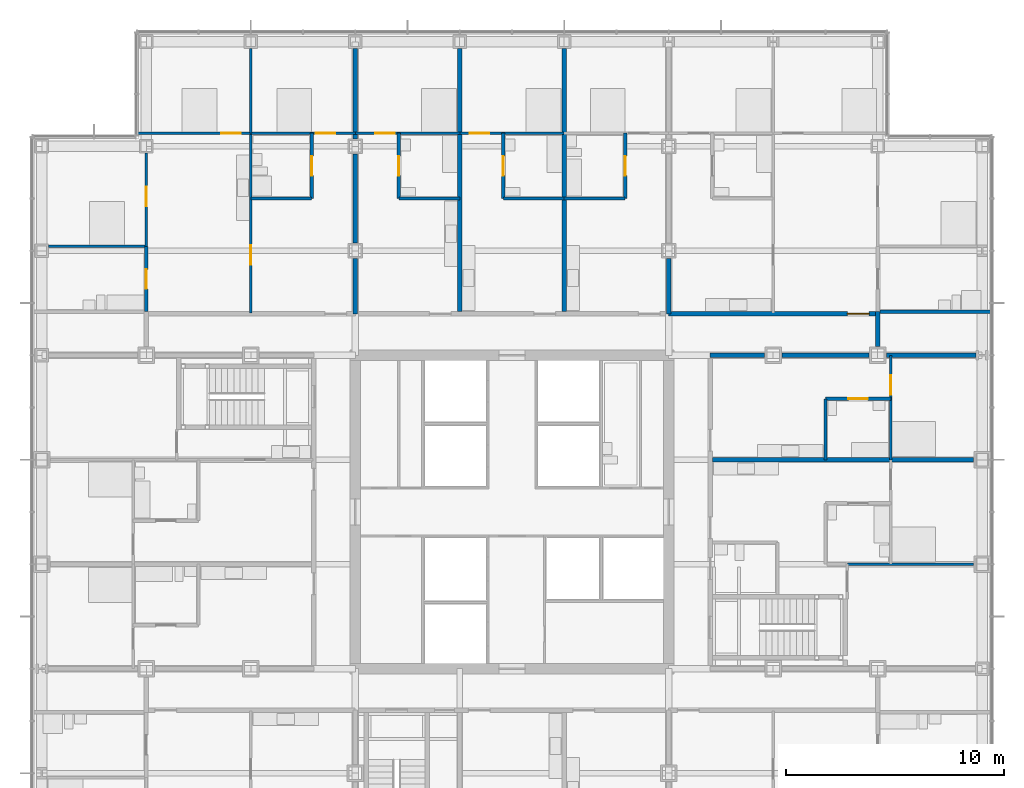
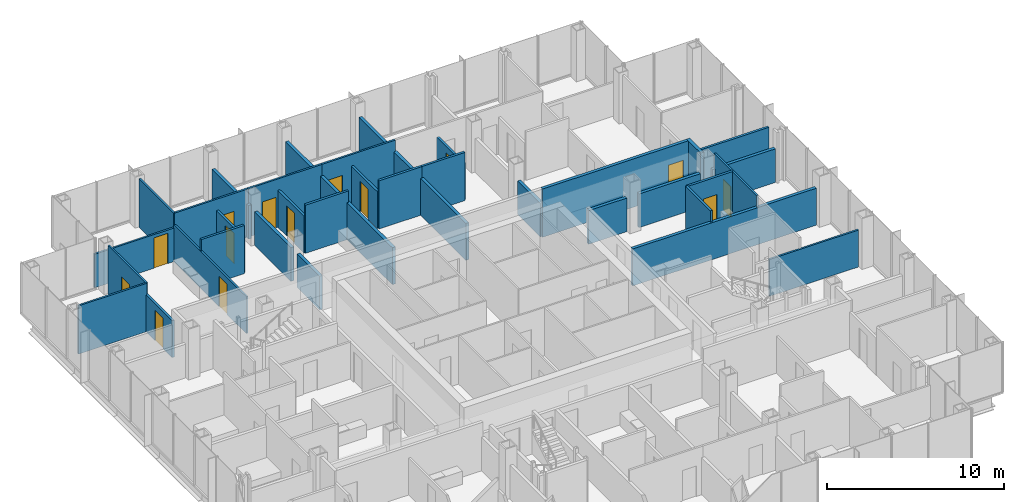
# One storey, part 17 of 21: 34 walls, 14 doors, 14 openings.
"""IFC4 building model written with IfcOpenShell, lengths in metres."""

from ifc_helpers import new_model, si_unit, direction, frame, frame_2d, origin, place, context, subcontext, project, spatial, rectangle, extrude, material, layer, layer_set, type_object, element, fill, save


model = new_model("IFC4")

# Units and contexts
model_context = context("Model", 3, precision=1e-05, world=origin(), true_north=direction((0.0, 1.0)))
body_context = subcontext(model_context, "Body", "Model", "MODEL_VIEW")
ifc_project = project(units=[si_unit("LENGTHUNIT", "METRE"), si_unit("AREAUNIT", "SQUARE_METRE"), si_unit("VOLUMEUNIT", "CUBIC_METRE"), si_unit("PLANEANGLEUNIT", "RADIAN"), si_unit("MASSUNIT", "GRAM", prefix="KILO")], contexts=[model_context])

# Site, building, storey
site_placement = place(None, origin())
site = spatial("IfcSite", under=ifc_project, at=site_placement, CompositionType="ELEMENT")
building_placement = place(site_placement, origin())
building = spatial("IfcBuilding", under=site, at=building_placement, Name="Kvirike Care Tower", CompositionType="ELEMENT")
storey_placement = place(building_placement, frame((0.0, 0.0, 55.0)))
storey = spatial("IfcBuildingStorey", under=building, at=storey_placement, Name="L14", CompositionType="ELEMENT", Elevation=55.0)

# Wall, opening, door
ifc_material_1 = material(Name="Moisture-resistant board partition", Category="gypsum")
ifc_layer_1 = layer(ifc_material_1, 0.14990234375)
ifc_layer_set_1 = layer_set([ifc_layer_1], Name="BATHROOM WALL 150")
wall_type_1 = type_object("IfcWallType", Name="BATHROOM WALL 150", PredefinedType="PARTITIONING", material=ifc_layer_set_1)
wall_1_placement = place(storey_placement, frame((12.39990234375, 53.39990234375, 0.0), z_axis=(0.0, 0.0, 1.0), x_axis=(0.0, -1.0, 0.0)))
wall_1 = element("IfcWall", 1, at=wall_1_placement, inside=storey, type_object=wall_type_1, Name="Bathroom Wall 150 L14", PredefinedType="PARTITIONING", context=body_context, shape_type="SweptSolid", body=[
    extrude(rectangle(XDim=3.0, YDim=0.14990234375, at=frame_2d((1.5, 0.0))), origin(), (0.0, 0.0, 1.0), 2.550048828125),
])
opening_1_placement = place(wall_1_placement, frame((1.050048828125, 0.0, 0.0)))
opening_1 = element("IfcOpeningElement", 2, at=opening_1_placement, cuts=wall_1, Name="Opening 14-017", PredefinedType="OPENING", context=body_context, shape_type="SweptSolid", body=[
    extrude(rectangle(XDim=0.89990234375, YDim=2.10009765625, at=frame_2d((0.449951171875, 1.050048828125))), frame((0.0, 0.08544921875, 0.0), z_axis=(0.0, -1.0, 0.0), x_axis=(1.0, 0.0, 0.0)), (0.0, 0.0, 1.0), 0.1708984375),
])
ifc_material_2 = material(Name="Timber door set", Category="wood")
door_type_1 = type_object("IfcDoorType", Name="BATHROOM DOOR 900", OperationType="SINGLE_SWING_RIGHT", PredefinedType="DOOR", material=ifc_material_2)
door_1_placement = place(opening_1_placement, frame((0.89990234375, 0.0, 0.0), z_axis=(0.0, 0.0, 1.0), x_axis=(-1.0, 0.0, 0.0)))
door_1 = element("IfcDoor", 3, at=door_1_placement, inside=storey, type_object=door_type_1, Name="Shower room door", OperationType="SINGLE_SWING_RIGHT", OverallHeight=2.10009765625, OverallWidth=0.89990234375, PredefinedType="DOOR", context=body_context, shape_type="SweptSolid", body=[
    extrude(rectangle(XDim=0.89990234375, YDim=2.10009765625, at=frame_2d((0.449951171875, 1.050048828125))), frame((0.0, 0.02197265625, 0.0), z_axis=(0.0, -1.0, 0.0), x_axis=(1.0, 0.0, 0.0)), (0.0, 0.0, 1.0), 0.0439453125),
])
fill(opening_1, door_1)

# Wall
wall_2_placement = place(storey_placement, frame((12.39990234375, 50.39990234375, 0.0), z_axis=(0.0, 0.0, 1.0), x_axis=(-1.0, 0.0, 0.0)))
element("IfcWall", 4, at=wall_2_placement, inside=storey, type_object=wall_type_1, Name="Bathroom Wall 150 L14", PredefinedType="PARTITIONING", context=body_context, shape_type="SweptSolid", body=[
    extrude(rectangle(XDim=2.7998046875, YDim=0.14990234375, at=frame_2d((1.39990234375, 0.0))), origin(), (0.0, 0.0, 1.0), 3.330078125),
])

# Wall, opening, door
wall_3_placement = place(storey_placement, frame((4.800048828125, 48.199951171875, 0.0), z_axis=(0.0, 0.0, 1.0), x_axis=(0.0, -1.0, 0.0)))
wall_3 = element("IfcWall", 5, at=wall_3_placement, inside=storey, type_object=wall_type_1, Name="Bathroom Wall 150 L14", PredefinedType="PARTITIONING", context=body_context, shape_type="SweptSolid", body=[
    extrude(rectangle(XDim=3.0, YDim=0.14990234375, at=frame_2d((1.5, 0.0))), origin(), (0.0, 0.0, 1.0), 2.550048828125),
])
opening_2_placement = place(wall_3_placement, frame((1.050048828125, 0.0, 0.0)))
opening_2 = element("IfcOpeningElement", 6, at=opening_2_placement, cuts=wall_3, Name="Opening 14-018", PredefinedType="OPENING", context=body_context, shape_type="SweptSolid", body=[
    extrude(rectangle(XDim=0.89990234375, YDim=2.10009765625, at=frame_2d((0.449951171875, 1.050048828125))), frame((0.0, 0.08544921875, 0.0), z_axis=(0.0, -1.0, 0.0), x_axis=(1.0, 0.0, 0.0)), (0.0, 0.0, 1.0), 0.1708984375),
])
door_2_placement = place(opening_2_placement, frame((0.89990234375, 0.0, 0.0), z_axis=(0.0, 0.0, 1.0), x_axis=(-1.0, 0.0, 0.0)))
door_2 = element("IfcDoor", 7, at=door_2_placement, inside=storey, type_object=door_type_1, Name="Bathroom door", OperationType="SINGLE_SWING_LEFT", OverallHeight=2.10009765625, OverallWidth=0.89990234375, PredefinedType="DOOR", context=body_context, shape_type="SweptSolid", body=[
    extrude(rectangle(XDim=0.89990234375, YDim=2.10009765625, at=frame_2d((0.449951171875, 1.050048828125))), frame((0.0, 0.02197265625, 0.0), z_axis=(0.0, -1.0, 0.0), x_axis=(1.0, 0.0, 0.0)), (0.0, 0.0, 1.0), 0.0439453125),
])
fill(opening_2, door_2)

wall_4_placement = place(storey_placement, frame((26.800048828125, 53.39990234375, 0.0), z_axis=(0.0, 0.0, 1.0), x_axis=(0.0, -1.0, 0.0)))
wall_4 = element("IfcWall", 8, at=wall_4_placement, inside=storey, type_object=wall_type_1, Name="Bathroom Wall 150 L14", PredefinedType="PARTITIONING", context=body_context, shape_type="SweptSolid", body=[
    extrude(rectangle(XDim=3.0, YDim=0.14990234375, at=frame_2d((1.5, 0.0))), origin(), (0.0, 0.0, 1.0), 2.550048828125),
])
opening_3_placement = place(wall_4_placement, frame((1.050048828125, 0.0, 0.0)))
opening_3 = element("IfcOpeningElement", 9, at=opening_3_placement, cuts=wall_4, Name="Opening 14-032", PredefinedType="OPENING", context=body_context, shape_type="SweptSolid", body=[
    extrude(rectangle(XDim=0.89990234375, YDim=2.10009765625, at=frame_2d((0.449951171875, 1.050048828125))), frame((0.0, 0.08544921875, 0.0), z_axis=(0.0, -1.0, 0.0), x_axis=(1.0, 0.0, 0.0)), (0.0, 0.0, 1.0), 0.1708984375),
])
door_3_placement = place(opening_3_placement, frame((0.89990234375, 0.0, 0.0), z_axis=(0.0, 0.0, 1.0), x_axis=(-1.0, 0.0, 0.0)))
door_3 = element("IfcDoor", 10, at=door_3_placement, inside=storey, type_object=door_type_1, Name="Bathroom door", OperationType="SINGLE_SWING_LEFT", OverallHeight=2.10009765625, OverallWidth=0.89990234375, PredefinedType="DOOR", context=body_context, shape_type="SweptSolid", body=[
    extrude(rectangle(XDim=0.89990234375, YDim=2.10009765625, at=frame_2d((0.449951171875, 1.050048828125))), frame((0.0, 0.02197265625, 0.0), z_axis=(0.0, -1.0, 0.0), x_axis=(1.0, 0.0, 0.0)), (0.0, 0.0, 1.0), 0.0439453125),
])
fill(opening_3, door_3)

# Wall
wall_5_placement = place(storey_placement, frame((26.800048828125, 50.39990234375, 0.0), z_axis=(0.0, 0.0, 1.0), x_axis=(-1.0, 0.0, 0.0)))
element("IfcWall", 11, at=wall_5_placement, inside=storey, type_object=wall_type_1, Name="Bathroom Wall 150 L14", PredefinedType="PARTITIONING", context=body_context, shape_type="SweptSolid", body=[
    extrude(rectangle(XDim=2.800048828125, YDim=0.14990234375, at=frame_2d((1.39990234375, 0.0))), origin(), (0.0, 0.0, 1.0), 3.330078125),
])

# Wall, opening, door
wall_6_placement = place(storey_placement, frame((21.199951171875, 53.39990234375, 0.0), z_axis=(0.0, 0.0, 1.0), x_axis=(0.0, -1.0, 0.0)))
wall_6 = element("IfcWall", 12, at=wall_6_placement, inside=storey, type_object=wall_type_1, Name="Bathroom Wall 150 L14", PredefinedType="PARTITIONING", context=body_context, shape_type="SweptSolid", body=[
    extrude(rectangle(XDim=3.0, YDim=0.14990234375, at=frame_2d((1.5, 0.0))), origin(), (0.0, 0.0, 1.0), 2.550048828125),
])
opening_4_placement = place(wall_6_placement, frame((1.050048828125, 0.0, 0.0)))
opening_4 = element("IfcOpeningElement", 13, at=opening_4_placement, cuts=wall_6, Name="Opening 14-034", PredefinedType="OPENING", context=body_context, shape_type="SweptSolid", body=[
    extrude(rectangle(XDim=0.89990234375, YDim=2.10009765625, at=frame_2d((0.449951171875, 1.050048828125))), frame((0.0, 0.08544921875, 0.0), z_axis=(0.0, -1.0, 0.0), x_axis=(1.0, 0.0, 0.0)), (0.0, 0.0, 1.0), 0.1708984375),
])
door_4_placement = place(opening_4_placement, origin())
door_4 = element("IfcDoor", 14, at=door_4_placement, inside=storey, type_object=door_type_1, Name="Bathroom door", OperationType="SINGLE_SWING_LEFT", OverallHeight=2.10009765625, OverallWidth=0.89990234375, PredefinedType="DOOR", context=body_context, shape_type="SweptSolid", body=[
    extrude(rectangle(XDim=0.89990234375, YDim=2.10009765625, at=frame_2d((0.449951171875, 1.050048828125))), frame((0.0, 0.02197265625, 0.0), z_axis=(0.0, -1.0, 0.0), x_axis=(1.0, 0.0, 0.0)), (0.0, 0.0, 1.0), 0.0439453125),
])
fill(opening_4, door_4)

# Wall
wall_7_placement = place(storey_placement, frame((24.0, 50.39990234375, 0.0), z_axis=(0.0, 0.0, 1.0), x_axis=(-1.0, 0.0, 0.0)))
element("IfcWall", 15, at=wall_7_placement, inside=storey, type_object=wall_type_1, Name="Bathroom Wall 150 L14", PredefinedType="PARTITIONING", context=body_context, shape_type="SweptSolid", body=[
    extrude(rectangle(XDim=2.800048828125, YDim=0.14990234375, at=frame_2d((1.39990234375, 0.0))), origin(), (0.0, 0.0, 1.0), 3.330078125),
])

# Wall, opening, door
wall_8_placement = place(storey_placement, frame((16.39990234375, 53.39990234375, 0.0), z_axis=(0.0, 0.0, 1.0), x_axis=(0.0, -1.0, 0.0)))
wall_8 = element("IfcWall", 16, at=wall_8_placement, inside=storey, type_object=wall_type_1, Name="Bathroom Wall 150 L14", PredefinedType="PARTITIONING", context=body_context, shape_type="SweptSolid", body=[
    extrude(rectangle(XDim=3.0, YDim=0.14990234375, at=frame_2d((1.5, 0.0))), origin(), (0.0, 0.0, 1.0), 2.550048828125),
])
opening_5_placement = place(wall_8_placement, frame((1.050048828125, 0.0, 0.0)))
opening_5 = element("IfcOpeningElement", 17, at=opening_5_placement, cuts=wall_8, Name="Opening 14-036", PredefinedType="OPENING", context=body_context, shape_type="SweptSolid", body=[
    extrude(rectangle(XDim=0.89990234375, YDim=2.10009765625, at=frame_2d((0.449951171875, 1.050048828125))), frame((0.0, 0.08544921875, 0.0), z_axis=(0.0, -1.0, 0.0), x_axis=(1.0, 0.0, 0.0)), (0.0, 0.0, 1.0), 0.1708984375),
])
door_5_placement = place(opening_5_placement, origin())
door_5 = element("IfcDoor", 18, at=door_5_placement, inside=storey, type_object=door_type_1, Name="Bathroom door", OperationType="SINGLE_SWING_RIGHT", OverallHeight=2.10009765625, OverallWidth=0.89990234375, PredefinedType="DOOR", context=body_context, shape_type="SweptSolid", body=[
    extrude(rectangle(XDim=0.89990234375, YDim=2.10009765625, at=frame_2d((0.449951171875, 1.050048828125))), frame((0.0, 0.02197265625, 0.0), z_axis=(0.0, -1.0, 0.0), x_axis=(1.0, 0.0, 0.0)), (0.0, 0.0, 1.0), 0.0439453125),
])
fill(opening_5, door_5)

# Wall
wall_9_placement = place(storey_placement, frame((19.199951171875, 50.39990234375, 0.0), z_axis=(0.0, 0.0, 1.0), x_axis=(-1.0, 0.0, 0.0)))
element("IfcWall", 19, at=wall_9_placement, inside=storey, type_object=wall_type_1, Name="Bathroom Wall 150 L14", PredefinedType="PARTITIONING", context=body_context, shape_type="SweptSolid", body=[
    extrude(rectangle(XDim=2.800048828125, YDim=0.14990234375, at=frame_2d((1.39990234375, 0.0))), origin(), (0.0, 0.0, 1.0), 3.330078125),
])

# Wall, opening, door
wall_10_placement = place(storey_placement, frame((39.0, 41.199951171875, 0.0), z_axis=(0.0, 0.0, 1.0), x_axis=(-1.0, 0.0, 0.0)))
wall_10 = element("IfcWall", 20, at=wall_10_placement, inside=storey, type_object=wall_type_1, Name="Bathroom Wall 150 L14", PredefinedType="PARTITIONING", context=body_context, shape_type="SweptSolid", body=[
    extrude(rectangle(XDim=3.0, YDim=0.14990234375, at=frame_2d((1.5, 0.0))), origin(), (0.0, 0.0, 1.0), 3.330078125),
])
opening_6_placement = place(wall_10_placement, frame((1.050048828125, 0.0, 0.0)))
opening_6 = element("IfcOpeningElement", 21, at=opening_6_placement, cuts=wall_10, Name="Opening 14-051", PredefinedType="OPENING", context=body_context, shape_type="SweptSolid", body=[
    extrude(rectangle(XDim=0.89990234375, YDim=2.10009765625, at=frame_2d((0.449951171875, 1.050048828125))), frame((0.0, 0.08544921875, 0.0), z_axis=(0.0, -1.0, 0.0), x_axis=(1.0, 0.0, 0.0)), (0.0, 0.0, 1.0), 0.1708984375),
])
door_6_placement = place(opening_6_placement, origin())
door_6 = element("IfcDoor", 22, at=door_6_placement, inside=storey, type_object=door_type_1, Name="Bathroom door", OperationType="SINGLE_SWING_RIGHT", OverallHeight=2.10009765625, OverallWidth=0.89990234375, PredefinedType="DOOR", context=body_context, shape_type="SweptSolid", body=[
    extrude(rectangle(XDim=0.89990234375, YDim=2.10009765625, at=frame_2d((0.449951171875, 1.050048828125))), frame((0.0, 0.02197265625, 0.0), z_axis=(0.0, -1.0, 0.0), x_axis=(1.0, 0.0, 0.0)), (0.0, 0.0, 1.0), 0.0439453125),
])
fill(opening_6, door_6)

# Walls
wall_11_placement = place(storey_placement, frame((36.0, 38.39990234375, 0.0), z_axis=(0.0, 0.0, 1.0), x_axis=(0.0, 1.0, 0.0)))
element("IfcWall", 23, at=wall_11_placement, inside=storey, type_object=wall_type_1, Name="Bathroom Wall 150 L14", PredefinedType="PARTITIONING", context=body_context, shape_type="SweptSolid", body=[
    extrude(rectangle(XDim=2.800048828125, YDim=0.14990234375, at=frame_2d((1.39990234375, 0.0))), origin(), (0.0, 0.0, 1.0), 3.330078125),
])
wall_12_placement = place(storey_placement, frame((43.6298828125, 45.199951171875, 0.0), z_axis=(0.0, 0.0, 1.0), x_axis=(-1.0, 0.0, 0.0)))
element("IfcWall", 24, at=wall_12_placement, inside=storey, type_object=wall_type_1, Name="Bathroom Wall 150 L14", PredefinedType="PARTITIONING", context=body_context, shape_type="SweptSolid", body=[
    extrude(rectangle(XDim=5.1298828125, YDim=0.14990234375, at=frame_2d((2.56494140625, 0.0))), origin(), (0.0, 0.0, 1.0), 2.320068359375),
])

# Wall, opening, door
ifc_material_3 = material(Name="Plasterboard corridor wall", Category="gypsum")
ifc_layer_2 = layer(ifc_material_3, 0.199951171875)
ifc_layer_set_2 = layer_set([ifc_layer_2], Name="CORRIDOR WALL 200")
wall_type_2 = type_object("IfcWallType", Name="CORRIDOR WALL 200", PredefinedType="PARTITIONING", material=ifc_layer_set_2)
wall_13_placement = place(storey_placement, frame((38.39990234375, 45.10009765625, 0.0), z_axis=(0.0, 0.0, 1.0), x_axis=(-1.0, 0.0, 0.0)))
wall_13 = element("IfcWall", 25, at=wall_13_placement, inside=storey, type_object=wall_type_2, Name="Corridor Wall 200 L14", PredefinedType="PARTITIONING", context=body_context, shape_type="SweptSolid", body=[
    extrude(rectangle(XDim=9.599853515625, YDim=0.199951171875, at=frame_2d((4.7998046875, 0.0))), origin(), (0.0, 0.0, 1.0), 3.330078125),
])
opening_7_placement = place(wall_13_placement, frame((0.39990234375, 0.0, 0.0)))
opening_7 = element("IfcOpeningElement", 26, at=opening_7_placement, cuts=wall_13, Name="Opening 14-063", PredefinedType="OPENING", context=body_context, shape_type="SweptSolid", body=[
    extrude(rectangle(XDim=1.0, YDim=2.10009765625, at=frame_2d((0.5, 1.050048828125))), frame((0.0, 0.110595703125, 0.0), z_axis=(0.0, -1.0, 0.0), x_axis=(1.0, 0.0, 0.0)), (0.0, 0.0, 1.0), 0.220947265625),
])
ifc_material_4 = material(Name="Timber door set", Category="wood")
door_type_2 = type_object("IfcDoorType", Name="FLAT ENTRANCE DOOR 1000", OperationType="SINGLE_SWING_LEFT", PredefinedType="DOOR", material=ifc_material_4)
door_7_placement = place(opening_7_placement, frame((1.0, 0.0, 0.0), z_axis=(0.0, 0.0, 1.0), x_axis=(-1.0, 0.0, 0.0)))
door_7 = element("IfcDoor", 27, at=door_7_placement, inside=storey, type_object=door_type_2, Name="Three-bedroom corner apartment entrance", OperationType="SINGLE_SWING_LEFT", OverallHeight=2.10009765625, OverallWidth=1.0, PredefinedType="DOOR", context=body_context, shape_type="SweptSolid", body=[
    extrude(rectangle(XDim=1.0, YDim=2.10009765625, at=frame_2d((0.5, 1.050048828125))), frame((0.0, 0.02685546875, 0.0), z_axis=(0.0, -1.0, 0.0), x_axis=(1.0, 0.0, 0.0)), (0.0, 0.0, 1.0), 0.053955078125),
])
fill(opening_7, door_7)

# Wall
wall_14_placement = place(storey_placement, frame((38.39990234375, 45.199951171875, 0.0), z_axis=(0.0, 0.0, 1.0), x_axis=(0.0, -1.0, 0.0)))
element("IfcWall", 28, at=wall_14_placement, inside=storey, type_object=wall_type_2, Name="Corridor Wall 200 L14", PredefinedType="PARTITIONING", context=body_context, shape_type="SweptSolid", body=[
    extrude(rectangle(XDim=1.60498046875, YDim=0.199951171875, at=frame_2d((0.802490234375, 0.0))), origin(), (0.0, 0.0, 1.0), 3.330078125),
])

# Wall, opening, door
ifc_material_5 = material(Name="Plasterboard partition", Category="gypsum")
ifc_layer_3 = layer(ifc_material_5, 0.1201171875)
ifc_layer_set_3 = layer_set([ifc_layer_3], Name="PARTITION 120")
wall_type_3 = type_object("IfcWallType", Name="PARTITION 120", PredefinedType="PARTITIONING", material=ifc_layer_set_3)
wall_15_placement = place(storey_placement, frame((9.60009765625, 53.39990234375, 0.0), z_axis=(0.0, 0.0, 1.0), x_axis=(0.0, -1.0, 0.0)))
wall_15 = element("IfcWall", 29, at=wall_15_placement, inside=storey, type_object=wall_type_3, Name="Partition 120 L14", PredefinedType="PARTITIONING", context=body_context, shape_type="SweptSolid", body=[
    extrude(rectangle(XDim=8.25, YDim=0.1201171875, at=frame_2d((4.125, 0.0))), origin(), (0.0, 0.0, 1.0), 2.550048828125),
])
opening_8_placement = place(wall_15_placement, frame((5.14990234375, 0.0, 0.0)))
opening_8 = element("IfcOpeningElement", 30, at=opening_8_placement, cuts=wall_15, Name="Opening 14-019", PredefinedType="OPENING", context=body_context, shape_type="SweptSolid", body=[
    extrude(rectangle(XDim=0.89990234375, YDim=2.10009765625, at=frame_2d((0.449951171875, 1.050048828125))), frame((0.0, 0.070556640625, 0.0), z_axis=(0.0, -1.0, 0.0), x_axis=(1.0, 0.0, 0.0)), (0.0, 0.0, 1.0), 0.14111328125),
])
ifc_material_6 = material(Name="Timber door set", Category="wood")
door_type_3 = type_object("IfcDoorType", Name="INTERNAL DOOR 900", OperationType="SINGLE_SWING_LEFT", PredefinedType="DOOR", material=ifc_material_6)
door_8_placement = place(opening_8_placement, origin())
door_8 = element("IfcDoor", 31, at=door_8_placement, inside=storey, type_object=door_type_3, Name="Hall door", OperationType="SINGLE_SWING_RIGHT", OverallHeight=2.10009765625, OverallWidth=0.89990234375, PredefinedType="DOOR", context=body_context, shape_type="SweptSolid", body=[
    extrude(rectangle(XDim=0.89990234375, YDim=2.10009765625, at=frame_2d((0.449951171875, 1.050048828125))), frame((0.0, 0.02197265625, 0.0), z_axis=(0.0, -1.0, 0.0), x_axis=(1.0, 0.0, 0.0)), (0.0, 0.0, 1.0), 0.0439453125),
])
fill(opening_8, door_8)

wall_16_placement = place(storey_placement, frame((14.39990234375, 53.39990234375, 0.0), z_axis=(0.0, 0.0, 1.0), x_axis=(-1.0, 0.0, 0.0)))
wall_16 = element("IfcWall", 32, at=wall_16_placement, inside=storey, type_object=wall_type_3, Name="Partition 120 L14", PredefinedType="PARTITIONING", context=body_context, shape_type="SweptSolid", body=[
    extrude(rectangle(XDim=4.7998046875, YDim=0.1201171875, at=frame_2d((2.39990234375, 0.0))), origin(), (0.0, 0.0, 1.0), 3.330078125),
])
opening_9_placement = place(wall_16_placement, frame((0.925048828125, 0.0, 0.0)))
opening_9 = element("IfcOpeningElement", 33, at=opening_9_placement, cuts=wall_16, Name="Opening 14-020", PredefinedType="OPENING", context=body_context, shape_type="SweptSolid", body=[
    extrude(rectangle(XDim=0.89990234375, YDim=2.10009765625, at=frame_2d((0.449951171875, 1.050048828125))), frame((0.0, 0.070556640625, 0.0), z_axis=(0.0, -1.0, 0.0), x_axis=(1.0, 0.0, 0.0)), (0.0, 0.0, 1.0), 0.14111328125),
])
door_9_placement = place(opening_9_placement, frame((0.89990234375, 0.0, 0.0), z_axis=(0.0, 0.0, 1.0), x_axis=(-1.0, 0.0, 0.0)))
door_9 = element("IfcDoor", 34, at=door_9_placement, inside=storey, type_object=door_type_3, Name="Apartment bedroom door", OperationType="SINGLE_SWING_LEFT", OverallHeight=2.10009765625, OverallWidth=0.89990234375, PredefinedType="DOOR", context=body_context, shape_type="SweptSolid", body=[
    extrude(rectangle(XDim=0.89990234375, YDim=2.10009765625, at=frame_2d((0.449951171875, 1.050048828125))), frame((0.0, 0.02197265625, 0.0), z_axis=(0.0, -1.0, 0.0), x_axis=(1.0, 0.0, 0.0)), (0.0, 0.0, 1.0), 0.0439453125),
])
fill(opening_9, door_9)

wall_17_placement = place(storey_placement, frame((9.60009765625, 53.39990234375, 0.0), z_axis=(0.0, 0.0, 1.0), x_axis=(-1.0, 0.0, 0.0)))
wall_17 = element("IfcWall", 35, at=wall_17_placement, inside=storey, type_object=wall_type_3, Name="Partition 120 L14", PredefinedType="PARTITIONING", context=body_context, shape_type="SweptSolid", body=[
    extrude(rectangle(XDim=5.235107421875, YDim=0.1201171875, at=frame_2d((2.61767578125, 0.0))), origin(), (0.0, 0.0, 1.0), 2.320068359375),
])
opening_10_placement = place(wall_17_placement, frame((0.449951171875, 0.0, 0.0)))
opening_10 = element("IfcOpeningElement", 36, at=opening_10_placement, cuts=wall_17, Name="Opening 14-021", PredefinedType="OPENING", context=body_context, shape_type="SweptSolid", body=[
    extrude(rectangle(XDim=0.89990234375, YDim=2.10009765625, at=frame_2d((0.449951171875, 1.050048828125))), frame((0.0, 0.070556640625, 0.0), z_axis=(0.0, -1.0, 0.0), x_axis=(1.0, 0.0, 0.0)), (0.0, 0.0, 1.0), 0.14111328125),
])
door_10_placement = place(opening_10_placement, frame((0.89990234375, 0.0, 0.0), z_axis=(0.0, 0.0, 1.0), x_axis=(-1.0, 0.0, 0.0)))
door_10 = element("IfcDoor", 37, at=door_10_placement, inside=storey, type_object=door_type_3, Name="Apartment bedroom door", OperationType="SINGLE_SWING_LEFT", OverallHeight=2.10009765625, OverallWidth=0.89990234375, PredefinedType="DOOR", context=body_context, shape_type="SweptSolid", body=[
    extrude(rectangle(XDim=0.89990234375, YDim=2.10009765625, at=frame_2d((0.449951171875, 1.050048828125))), frame((0.0, 0.02197265625, 0.0), z_axis=(0.0, -1.0, 0.0), x_axis=(1.0, 0.0, 0.0)), (0.0, 0.0, 1.0), 0.0439453125),
])
fill(opening_10, door_10)

# Walls
wall_18_placement = place(storey_placement, frame((4.800048828125, 48.199951171875, 0.0), z_axis=(0.0, 0.0, 1.0), x_axis=(-1.0, 0.0, 0.0)))
element("IfcWall", 38, at=wall_18_placement, inside=storey, type_object=wall_type_3, Name="Partition 120 L14", PredefinedType="PARTITIONING", context=body_context, shape_type="SweptSolid", body=[
    extrude(rectangle(XDim=4.47998046875, YDim=0.1201171875, at=frame_2d((2.239990234375, 0.0))), origin(), (0.0, 0.0, 1.0), 3.330078125),
])
wall_19_placement = place(storey_placement, frame((9.60009765625, 57.280029296875, 0.0), z_axis=(0.0, 0.0, 1.0), x_axis=(0.0, -1.0, 0.0)))
element("IfcWall", 39, at=wall_19_placement, inside=storey, type_object=wall_type_3, Name="Partition 120 L14", PredefinedType="PARTITIONING", context=body_context, shape_type="SweptSolid", body=[
    extrude(rectangle(XDim=3.880126953125, YDim=0.1201171875, at=frame_2d((1.93994140625, 0.0))), origin(), (0.0, 0.0, 1.0), 3.330078125),
])

# Wall, opening, door
wall_20_placement = place(storey_placement, frame((4.800048828125, 52.47998046875, 0.0), z_axis=(0.0, 0.0, 1.0), x_axis=(0.0, -1.0, 0.0)))
wall_20 = element("IfcWall", 40, at=wall_20_placement, inside=storey, type_object=wall_type_3, Name="Partition 120 L14", PredefinedType="PARTITIONING", context=body_context, shape_type="SweptSolid", body=[
    extrude(rectangle(XDim=4.280029296875, YDim=0.1201171875, at=frame_2d((2.14013671875, 0.0))), origin(), (0.0, 0.0, 1.0), 3.330078125),
])
opening_11_placement = place(wall_20_placement, frame((1.530029296875, 0.0, 0.0)))
opening_11 = element("IfcOpeningElement", 41, at=opening_11_placement, cuts=wall_20, Name="Opening 14-022", PredefinedType="OPENING", context=body_context, shape_type="SweptSolid", body=[
    extrude(rectangle(XDim=0.89990234375, YDim=2.10009765625, at=frame_2d((0.449951171875, 1.050048828125))), frame((0.0, 0.070556640625, 0.0), z_axis=(0.0, -1.0, 0.0), x_axis=(1.0, 0.0, 0.0)), (0.0, 0.0, 1.0), 0.14111328125),
])
door_11_placement = place(opening_11_placement, frame((0.89990234375, 0.0, 0.0), z_axis=(0.0, 0.0, 1.0), x_axis=(-1.0, 0.0, 0.0)))
door_11 = element("IfcDoor", 42, at=door_11_placement, inside=storey, type_object=door_type_3, Name="Connecting door", OperationType="SINGLE_SWING_RIGHT", OverallHeight=2.10009765625, OverallWidth=0.89990234375, PredefinedType="DOOR", context=body_context, shape_type="SweptSolid", body=[
    extrude(rectangle(XDim=0.89990234375, YDim=2.10009765625, at=frame_2d((0.449951171875, 1.050048828125))), frame((0.0, 0.02197265625, 0.0), z_axis=(0.0, -1.0, 0.0), x_axis=(1.0, 0.0, 0.0)), (0.0, 0.0, 1.0), 0.0439453125),
])
fill(opening_11, door_11)

wall_21_placement = place(storey_placement, frame((24.0, 53.39990234375, 0.0), z_axis=(0.0, 0.0, 1.0), x_axis=(-1.0, 0.0, 0.0)))
wall_21 = element("IfcWall", 43, at=wall_21_placement, inside=storey, type_object=wall_type_3, Name="Partition 120 L14", PredefinedType="PARTITIONING", context=body_context, shape_type="SweptSolid", body=[
    extrude(rectangle(XDim=4.800048828125, YDim=0.1201171875, at=frame_2d((2.39990234375, 0.0))), origin(), (0.0, 0.0, 1.0), 3.330078125),
])
opening_12_placement = place(wall_21_placement, frame((3.449951171875, 0.0, 0.0)))
opening_12 = element("IfcOpeningElement", 44, at=opening_12_placement, cuts=wall_21, Name="Opening 14-035", PredefinedType="OPENING", context=body_context, shape_type="SweptSolid", body=[
    extrude(rectangle(XDim=0.89990234375, YDim=2.10009765625, at=frame_2d((0.449951171875, 1.050048828125))), frame((0.0, 0.070556640625, 0.0), z_axis=(0.0, -1.0, 0.0), x_axis=(1.0, 0.0, 0.0)), (0.0, 0.0, 1.0), 0.14111328125),
])
door_12_placement = place(opening_12_placement, frame((0.89990234375, 0.0, 0.0), z_axis=(0.0, 0.0, 1.0), x_axis=(-1.0, 0.0, 0.0)))
door_12 = element("IfcDoor", 45, at=door_12_placement, inside=storey, type_object=door_type_3, Name="Studio apartment living room door", OperationType="SINGLE_SWING_RIGHT", OverallHeight=2.10009765625, OverallWidth=0.89990234375, PredefinedType="DOOR", context=body_context, shape_type="SweptSolid", body=[
    extrude(rectangle(XDim=0.89990234375, YDim=2.10009765625, at=frame_2d((0.449951171875, 1.050048828125))), frame((0.0, 0.02197265625, 0.0), z_axis=(0.0, -1.0, 0.0), x_axis=(1.0, 0.0, 0.0)), (0.0, 0.0, 1.0), 0.0439453125),
])
fill(opening_12, door_12)

wall_22_placement = place(storey_placement, frame((19.199951171875, 53.39990234375, 0.0), z_axis=(0.0, 0.0, 1.0), x_axis=(-1.0, 0.0, 0.0)))
wall_22 = element("IfcWall", 46, at=wall_22_placement, inside=storey, type_object=wall_type_3, Name="Partition 120 L14", PredefinedType="PARTITIONING", context=body_context, shape_type="SweptSolid", body=[
    extrude(rectangle(XDim=4.800048828125, YDim=0.1201171875, at=frame_2d((2.39990234375, 0.0))), origin(), (0.0, 0.0, 1.0), 3.330078125),
])
opening_13_placement = place(wall_22_placement, frame((2.97509765625, 0.0, 0.0)))
opening_13 = element("IfcOpeningElement", 47, at=opening_13_placement, cuts=wall_22, Name="Opening 14-037", PredefinedType="OPENING", context=body_context, shape_type="SweptSolid", body=[
    extrude(rectangle(XDim=0.89990234375, YDim=2.10009765625, at=frame_2d((0.449951171875, 1.050048828125))), frame((0.0, 0.070556640625, 0.0), z_axis=(0.0, -1.0, 0.0), x_axis=(1.0, 0.0, 0.0)), (0.0, 0.0, 1.0), 0.14111328125),
])
door_13_placement = place(opening_13_placement, frame((0.89990234375, 0.0, 0.0), z_axis=(0.0, 0.0, 1.0), x_axis=(-1.0, 0.0, 0.0)))
door_13 = element("IfcDoor", 48, at=door_13_placement, inside=storey, type_object=door_type_3, Name="Studio apartment living room door", OperationType="SINGLE_SWING_RIGHT", OverallHeight=2.10009765625, OverallWidth=0.89990234375, PredefinedType="DOOR", context=body_context, shape_type="SweptSolid", body=[
    extrude(rectangle(XDim=0.89990234375, YDim=2.10009765625, at=frame_2d((0.449951171875, 1.050048828125))), frame((0.0, 0.02197265625, 0.0), z_axis=(0.0, -1.0, 0.0), x_axis=(1.0, 0.0, 0.0)), (0.0, 0.0, 1.0), 0.0439453125),
])
fill(opening_13, door_13)

# Wall
wall_23_placement = place(storey_placement, frame((42.804931640625, 33.60009765625, 0.0), z_axis=(0.0, 0.0, 1.0), x_axis=(-1.0, 0.0, 0.0)))
element("IfcWall", 49, at=wall_23_placement, inside=storey, type_object=wall_type_3, Name="Partition 120 L14", PredefinedType="PARTITIONING", context=body_context, shape_type="SweptSolid", body=[
    extrude(rectangle(XDim=5.804931640625, YDim=0.1201171875, at=frame_2d((2.90234375, 0.0))), origin(), (0.0, 0.0, 1.0), 2.550048828125),
])

# Wall, opening, door
wall_24_placement = place(storey_placement, frame((39.0, 38.39990234375, 0.0), z_axis=(0.0, 0.0, 1.0), x_axis=(0.0, 1.0, 0.0)))
wall_24 = element("IfcWall", 50, at=wall_24_placement, inside=storey, type_object=wall_type_3, Name="Partition 120 L14", PredefinedType="PARTITIONING", context=body_context, shape_type="SweptSolid", body=[
    extrude(rectangle(XDim=4.800048828125, YDim=0.1201171875, at=frame_2d((2.39990234375, 0.0))), origin(), (0.0, 0.0, 1.0), 3.330078125),
])
opening_14_placement = place(wall_24_placement, frame((2.97509765625, 0.0, 0.0)))
opening_14 = element("IfcOpeningElement", 51, at=opening_14_placement, cuts=wall_24, Name="Opening 14-052", PredefinedType="OPENING", context=body_context, shape_type="SweptSolid", body=[
    extrude(rectangle(XDim=0.89990234375, YDim=2.10009765625, at=frame_2d((0.449951171875, 1.050048828125))), frame((0.0, 0.070556640625, 0.0), z_axis=(0.0, -1.0, 0.0), x_axis=(1.0, 0.0, 0.0)), (0.0, 0.0, 1.0), 0.14111328125),
])
door_14_placement = place(opening_14_placement, frame((0.89990234375, 0.0, 0.0), z_axis=(0.0, 0.0, 1.0), x_axis=(-1.0, 0.0, 0.0)))
door_14 = element("IfcDoor", 52, at=door_14_placement, inside=storey, type_object=door_type_3, Name="Studio apartment living room door", OperationType="SINGLE_SWING_RIGHT", OverallHeight=2.10009765625, OverallWidth=0.89990234375, PredefinedType="DOOR", context=body_context, shape_type="SweptSolid", body=[
    extrude(rectangle(XDim=0.89990234375, YDim=2.10009765625, at=frame_2d((0.449951171875, 1.050048828125))), frame((0.0, 0.02197265625, 0.0), z_axis=(0.0, -1.0, 0.0), x_axis=(1.0, 0.0, 0.0)), (0.0, 0.0, 1.0), 0.0439453125),
])
fill(opening_14, door_14)

# Walls
ifc_material_7 = material(Name="Plasterboard party wall", Category="gypsum")
ifc_layer_4 = layer(ifc_material_7, 0.199951171875)
ifc_layer_set_4 = layer_set([ifc_layer_4], Name="PARTY WALL 200")
wall_type_4 = type_object("IfcWallType", Name="PARTY WALL 200", PredefinedType="PARTITIONING", material=ifc_layer_set_4)
for number, where, z_axis, x_axis, name in (
    (53, (24.0, 57.280029296875, 0.0), (0.0, 0.0, 1.0), (0.0, -1.0, 0.0), "Party Wall 200 L14"),
    (54, (19.199951171875, 57.280029296875, 0.0), (0.0, 0.0, 1.0), (0.0, -1.0, 0.0), "Party Wall 200 L14"),
):
    element("IfcWall", number, at=place(storey_placement, frame(where, z_axis=z_axis, x_axis=x_axis)), inside=storey, type_object=wall_type_4, Name=name, PredefinedType="PARTITIONING", context=body_context, shape_type="SweptSolid", body=[
        extrude(rectangle(XDim=12.080078125, YDim=0.199951171875, at=frame_2d((6.0400390625, 0.0))), origin(), (0.0, 0.0, 1.0), 2.550048828125),
    ])
wall_25_placement = place(storey_placement, frame((42.804931640625, 38.39990234375, 0.0), z_axis=(0.0, 0.0, 1.0), x_axis=(-1.0, 0.0, 0.0)))
element("IfcWall", 55, at=wall_25_placement, inside=storey, type_object=wall_type_4, Name="Party Wall 200 L14", PredefinedType="PARTITIONING", context=body_context, shape_type="SweptSolid", body=[
    extrude(rectangle(XDim=12.0048828125, YDim=0.199951171875, at=frame_2d((6.00244140625, 0.0))), origin(), (0.0, 0.0, 1.0), 2.550048828125),
])
wall_26_placement = place(storey_placement, frame((14.39990234375, 45.10009765625, 0.0), z_axis=(0.0, 0.0, 1.0), x_axis=(0.0, 1.0, 0.0)))
element("IfcWall", 56, at=wall_26_placement, inside=storey, type_object=wall_type_4, Name="Party Wall 200 L14", PredefinedType="PARTITIONING", context=body_context, shape_type="SweptSolid", body=[
    extrude(rectangle(XDim=2.554931640625, YDim=0.199951171875, at=frame_2d((1.27734375, 0.0))), origin(), (0.0, 0.0, 1.0), 2.320068359375),
])
wall_27_placement = place(storey_placement, frame((14.39990234375, 48.344970703125, 0.0), z_axis=(0.0, 0.0, 1.0), x_axis=(0.0, 1.0, 0.0)))
element("IfcWall", 57, at=wall_27_placement, inside=storey, type_object=wall_type_4, Name="Party Wall 200 L14", PredefinedType="PARTITIONING", context=body_context, shape_type="SweptSolid", body=[
    extrude(rectangle(XDim=4.110107421875, YDim=0.199951171875, at=frame_2d((2.05517578125, 0.0))), origin(), (0.0, 0.0, 1.0), 2.320068359375),
])
wall_28_placement = place(storey_placement, frame((14.39990234375, 53.14501953125, 0.0), z_axis=(0.0, 0.0, 1.0), x_axis=(0.0, 1.0, 0.0)))
element("IfcWall", 58, at=wall_28_placement, inside=storey, type_object=wall_type_4, Name="Party Wall 200 L14", PredefinedType="PARTITIONING", context=body_context, shape_type="SweptSolid", body=[
    extrude(rectangle(XDim=4.135009765625, YDim=0.199951171875, at=frame_2d((2.0673828125, 0.0))), origin(), (0.0, 0.0, 1.0), 2.320068359375),
])
wall_29_placement = place(storey_placement, frame((28.800048828125, 45.10009765625, 0.0), z_axis=(0.0, 0.0, 1.0), x_axis=(0.0, 1.0, 0.0)))
element("IfcWall", 59, at=wall_29_placement, inside=storey, type_object=wall_type_4, Name="Party Wall 200 L14", PredefinedType="PARTITIONING", context=body_context, shape_type="SweptSolid", body=[
    extrude(rectangle(XDim=2.554931640625, YDim=0.199951171875, at=frame_2d((1.27734375, 0.0))), origin(), (0.0, 0.0, 1.0), 2.320068359375),
])
wall_30_placement = place(storey_placement, frame((42.905029296875, 43.199951171875, 0.0), z_axis=(0.0, 0.0, 1.0), x_axis=(-1.0, 0.0, 0.0)))
element("IfcWall", 60, at=wall_30_placement, inside=storey, type_object=wall_type_4, Name="Party Wall 200 L14", PredefinedType="PARTITIONING", context=body_context, shape_type="SweptSolid", body=[
    extrude(rectangle(XDim=4.110107421875, YDim=0.199951171875, at=frame_2d((2.05517578125, 0.0))), origin(), (0.0, 0.0, 1.0), 2.320068359375),
])
wall_31_placement = place(storey_placement, frame((38.0048828125, 43.199951171875, 0.0), z_axis=(0.0, 0.0, 1.0), x_axis=(-1.0, 0.0, 0.0)))
element("IfcWall", 61, at=wall_31_placement, inside=storey, type_object=wall_type_4, Name="Party Wall 200 L14", PredefinedType="PARTITIONING", context=body_context, shape_type="SweptSolid", body=[
    extrude(rectangle(XDim=4.009765625, YDim=0.199951171875, at=frame_2d((2.0048828125, 0.0))), origin(), (0.0, 0.0, 1.0), 2.320068359375),
])
wall_32_placement = place(storey_placement, frame((33.205078125, 43.199951171875, 0.0), z_axis=(0.0, 0.0, 1.0), x_axis=(-1.0, 0.0, 0.0)))
element("IfcWall", 62, at=wall_32_placement, inside=storey, type_object=wall_type_4, Name="Party Wall 200 L14", PredefinedType="PARTITIONING", context=body_context, shape_type="SweptSolid", body=[
    extrude(rectangle(XDim=2.505126953125, YDim=0.199951171875, at=frame_2d((1.25244140625, 0.0))), origin(), (0.0, 0.0, 1.0), 2.320068359375),
])

save(model, "model.ifc")
